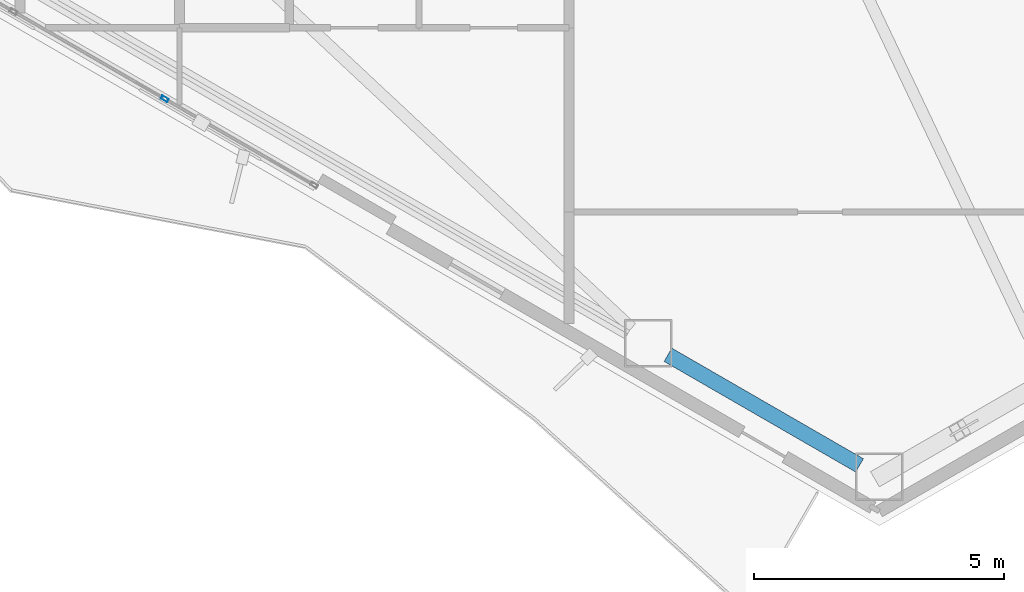
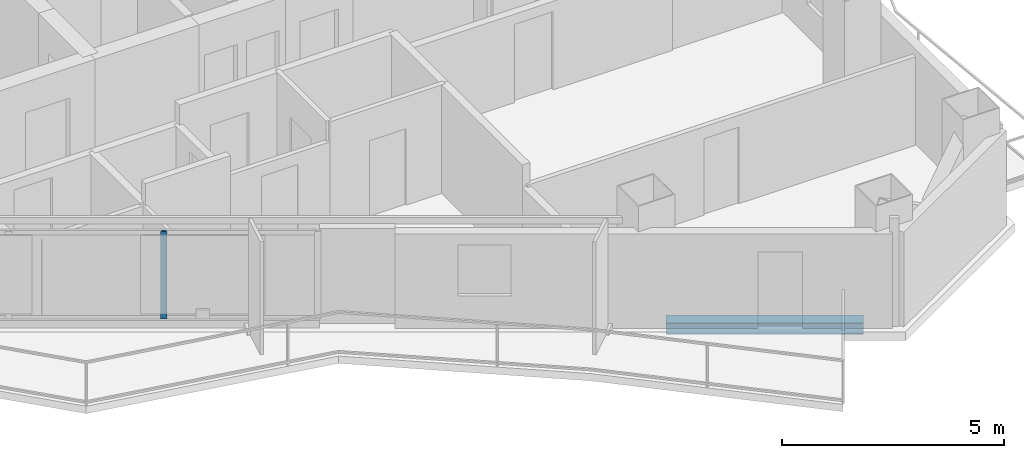
# One storey, part 3 of 18: 1 beam, 1 member, 1 element without a shape of its own.
"""IFC4 building model written with IfcOpenShell, lengths in metres."""

from ifc_helpers import new_model, si_unit, direction, frame, origin, origin_2d, place, context, subcontext, project, spatial, hollow_rectangle, i_section, extrude, material, layer, layer_set, material_profile, profile_set, type_object, element, aggregate, save


model = new_model("IFC4")

# Units and contexts
model_context = context("Model", 3, precision=1e-05, world=origin(), true_north=direction((0.0, 1.0)))
body_context = subcontext(model_context, "Body", "Model", "MODEL_VIEW")
ifc_project = project(units=[si_unit("LENGTHUNIT", "METRE"), si_unit("AREAUNIT", "SQUARE_METRE"), si_unit("VOLUMEUNIT", "CUBIC_METRE"), si_unit("PLANEANGLEUNIT", "RADIAN"), si_unit("MASSUNIT", "GRAM", prefix="KILO")], contexts=[model_context])

# Site, building, storey
site_placement = place(None, origin())
site = spatial("IfcSite", under=ifc_project, at=site_placement, CompositionType="ELEMENT")
building_placement = place(site_placement, origin())
building = spatial("IfcBuilding", under=site, at=building_placement, Name="Mersakhor Tower and Convention Hall", CompositionType="ELEMENT")
storey_placement = place(building_placement, frame((0.0, 0.0, 157.5)))
storey = spatial("IfcBuildingStorey", under=building, at=storey_placement, Name="L44", CompositionType="ELEMENT", Elevation=157.5)

# Beam
ifc_material_1 = material(Name="Steel S355", Category="steel")
ifc_material_profile_1 = material_profile(ifc_material_1, i_section(OverallWidth=0.30908203125, OverallDepth=0.320556640625, WebThickness=0.013916015625, FlangeThickness=0.021728515625, at=origin_2d()), Name="UC 305x305x137")
ifc_profile_set_1 = profile_set([ifc_material_profile_1], Name="Steel S355")
beam_type = type_object("IfcBeamType", Name="BM-SPD-UC305", PredefinedType="SPANDREL", material=ifc_profile_set_1)
beam_placement = place(storey_placement, frame((37.826416015625, 7.082763671875, -0.400146484375), z_axis=(-0.866038875684, 0.49997666526, 0.0), x_axis=(-0.49997666526, -0.866038875684, 0.0)))
element("IfcBeam", 1, at=beam_placement, inside=storey, type_object=beam_type, Name="L44 Perimeter Spandrel Beam SPB-09", PredefinedType="SPANDREL", context=body_context, shape_type="SweptSolid", body=[
    extrude(i_section(OverallWidth=0.30908203125, OverallDepth=0.320556640625, WebThickness=0.013916015625, FlangeThickness=0.021728515625, at=origin_2d()), origin(), (0.0, 0.0, 1.0), 4.433837890625),
])

# Curtain wall, member
ifc_material_2 = material(Name="Dark solar low-E aluminium curtain wall", Category="aluminium")
ifc_layer = layer(ifc_material_2, 0.169921875)
ifc_layer_set = layer_set([ifc_layer], Name="Dark solar low-E aluminium curtain wall")
curtain_wall_type = type_object("IfcCurtainWallType", Name="CW-SYS-02", PredefinedType="USERDEFINED", material=ifc_layer_set)
curtain_wall_placement = place(storey_placement, origin())
curtain_wall = element("IfcCurtainWall", 2, at=curtain_wall_placement, inside=storey, type_object=curtain_wall_type, Name="L44 Dark-Glass Curtain Wall F3-B2", ObjectType="CURTAIN WALL", PredefinedType="USERDEFINED")
ifc_material_3 = material(Name="Anodised aluminium EN AW-6063 T6", Category="aluminium")
ifc_material_profile_2 = material_profile(ifc_material_3, hollow_rectangle(XDim=0.074951171875, YDim=0.14990234375, WallThickness=0.00634765625, at=origin_2d()), Name="RHS 150x75x6.3")
ifc_profile_set_2 = profile_set([ifc_material_profile_2], Name="Anodised aluminium EN AW-6063 T6")
member_type = type_object("IfcMemberType", Name="CWM-150x75", PredefinedType="MULLION", material=ifc_profile_set_2)
member_placement = place(storey_placement, frame((23.904052734375, 14.427978515625, 0.199951171875), z_axis=(0.0, 0.0, 1.0), x_axis=(-0.499990468363, -0.866030906807, 0.0)))
member = element("IfcMember", 3, at=member_placement, type_object=member_type, Name="CW-02 mullion 2", PredefinedType="MULLION", context=body_context, shape_type="SweptSolid", body=[
    extrude(hollow_rectangle(XDim=0.074951171875, YDim=0.14990234375, WallThickness=0.00634765625, at=origin_2d()), origin(), (0.0, 0.0, 1.0), 2.400146484375),
])
aggregate(curtain_wall, [member])

save(model, "model.ifc")
